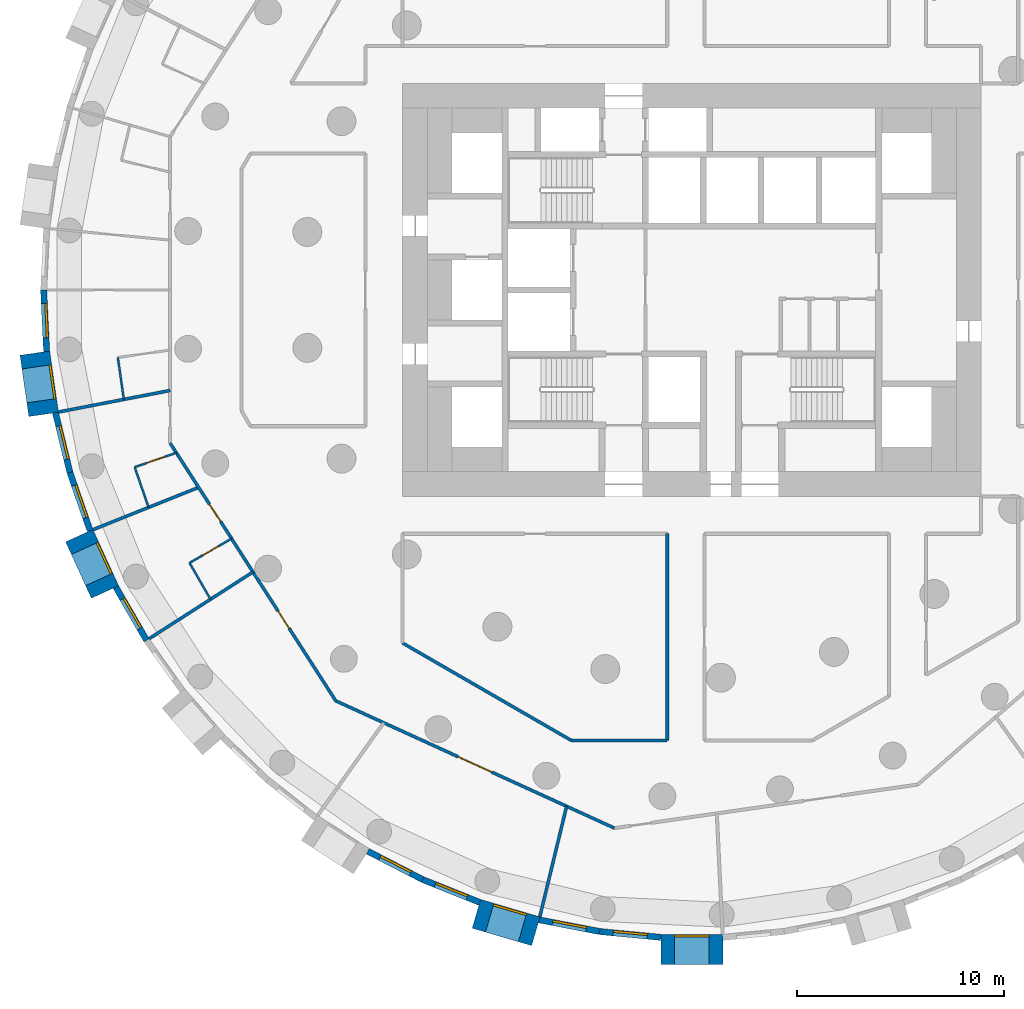
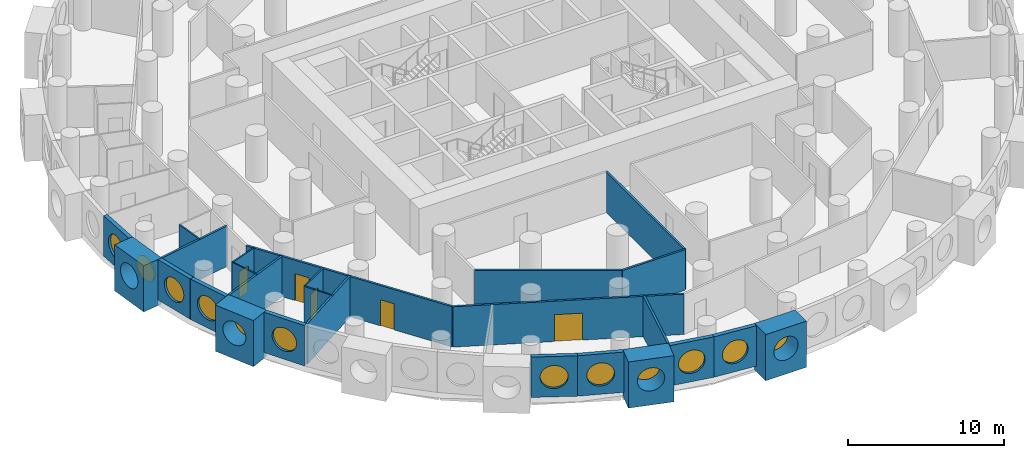
# One storey, part 3 of 12: 27 walls, 12 windows, 5 doors, 17 openings.
"""IFC4 building model written with IfcOpenShell, lengths in metres."""

from ifc_helpers import new_model, si_unit, direction, frame, frame_2d, origin, origin_2d, place, context, subcontext, project, spatial, rectangle, circle, extrude, material, layer, layer_set, type_object, element, fill, save


model = new_model("IFC4")

# Units and contexts
model_context = context("Model", 3, precision=1e-05, world=origin(), true_north=direction((0.0, 1.0)))
body_context = subcontext(model_context, "Body", "Model", "MODEL_VIEW")
ifc_project = project(units=[si_unit("LENGTHUNIT", "METRE"), si_unit("AREAUNIT", "SQUARE_METRE"), si_unit("VOLUMEUNIT", "CUBIC_METRE"), si_unit("PLANEANGLEUNIT", "RADIAN"), si_unit("MASSUNIT", "GRAM", prefix="KILO")], contexts=[model_context])

# Site, building, storey
site_placement = place(None, origin())
site = spatial("IfcSite", under=ifc_project, at=site_placement, CompositionType="ELEMENT")
building_placement = place(site_placement, origin())
building = spatial("IfcBuilding", under=site, at=building_placement, Name="Tracery Tower", CompositionType="ELEMENT")
storey_placement = place(building_placement, frame((0.0, 0.0, 103.800048828125)))
storey = spatial("IfcBuildingStorey", under=building, at=storey_placement, Name="L26", CompositionType="ELEMENT", Elevation=103.800048828125)

# Wall, opening, window
ifc_material_1 = material(Name="Precast concrete C50/60", Category="concrete")
ifc_layer_1 = layer(ifc_material_1, 1.449951171875)
ifc_layer_set_1 = layer_set([ifc_layer_1], Name="Deep-set bay unit 3000 x 3600, slab edge 450")
wall_type_1 = type_object("IfcWallType", Name="Deep-set bay unit 3000 x 3600, slab edge 450", PredefinedType="ELEMENTEDWALL", material=ifc_layer_set_1)
wall_1_placement = place(storey_placement, frame((-31.802490234375, -3.05712890625, -0.449951171875), z_axis=(0.0, 0.0, 1.0), x_axis=(0.142332746704, -0.989818866872, 0.0)))
wall_1 = element("IfcWall", 1, at=wall_1_placement, inside=storey, type_object=wall_type_1, Name="Deep-set bay unit 35 at L26", PredefinedType="ELEMENTEDWALL", context=body_context, shape_type="SweptSolid", body=[
    extrude(rectangle(XDim=3.0, YDim=1.449951171875, at=frame_2d((1.5, 0.0))), origin(), (0.0, 0.0, 1.0), 3.599853515625),
])
opening_1_placement = place(wall_1_placement, frame((1.5, 0.0, 2.0)))
opening_1 = element("IfcOpeningElement", 2, at=opening_1_placement, cuts=wall_1, Name="Opening WN1", PredefinedType="OPENING", context=body_context, shape_type="SweptSolid", body=[
    extrude(circle(Radius=0.9000244140625, at=origin_2d()), frame((0.0, 0.73486328125, 0.0), z_axis=(0.0, -1.0, 0.0), x_axis=(1.0, 0.0, 0.0)), (0.0, 0.0, 1.0), 1.469970703125),
])
ifc_material_2 = material(Name="Aluminium frame with tinted double glazing", Category="aluminium")
window_type = type_object("IfcWindowType", Name="Round window 1800", PartitioningType="SINGLE_PANEL", PredefinedType="WINDOW", material=ifc_material_2)
window_1_placement = place(opening_1_placement, origin())
window_1 = element("IfcWindow", 3, at=window_1_placement, inside=storey, type_object=window_type, Name="Round window 35 at L26", OverallHeight=1.800048828125, OverallWidth=1.800048828125, PartitioningType="SINGLE_PANEL", PredefinedType="WINDOW", context=body_context, shape_type="SweptSolid", body=[
    extrude(circle(Radius=0.9000244140625, at=origin_2d()), frame((0.0, 0.69482421875, 0.0), z_axis=(0.0, -1.0, 0.0), x_axis=(1.0, 0.0, 0.0)), (0.0, 0.0, 1.0), 0.10009765625),
])
fill(opening_1, window_1)

wall_2_placement = place(storey_placement, frame((-29.653076171875, -11.89306640625, -0.449951171875), z_axis=(0.0, 0.0, 1.0), x_axis=(0.415427028395, -0.909626508012, 0.0)))
wall_2 = element("IfcWall", 4, at=wall_2_placement, inside=storey, type_object=wall_type_1, Name="Deep-set bay unit 38 at L26", PredefinedType="ELEMENTEDWALL", context=body_context, shape_type="SweptSolid", body=[
    extrude(rectangle(XDim=3.000244140625, YDim=1.449951171875, at=frame_2d((1.5, 0.0))), origin(), (0.0, 0.0, 1.0), 3.599853515625),
])
opening_2_placement = place(wall_2_placement, frame((1.5, 0.0, 2.0)))
opening_2 = element("IfcOpeningElement", 5, at=opening_2_placement, cuts=wall_2, Name="Opening WN1", PredefinedType="OPENING", context=body_context, shape_type="SweptSolid", body=[
    extrude(circle(Radius=0.9000244140625, at=origin_2d()), frame((0.0, 0.73486328125, 0.0), z_axis=(0.0, -1.0, 0.0), x_axis=(1.0, 0.0, 0.0)), (0.0, 0.0, 1.0), 1.469970703125),
])
window_2_placement = place(opening_2_placement, origin())
window_2 = element("IfcWindow", 6, at=window_2_placement, inside=storey, type_object=window_type, Name="Round window 38 at L26", OverallHeight=1.800048828125, OverallWidth=1.800048828125, PartitioningType="SINGLE_PANEL", PredefinedType="WINDOW", context=body_context, shape_type="SweptSolid", body=[
    extrude(circle(Radius=0.9000244140625, at=origin_2d()), frame((0.0, 0.69482421875, 0.0), z_axis=(0.0, -1.0, 0.0), x_axis=(1.0, 0.0, 0.0)), (0.0, 0.0, 1.0), 0.10009765625),
])
fill(opening_2, window_2)

wall_3_placement = place(storey_placement, frame((-10.430419921875, -30.198486328125, -0.449951171875), z_axis=(0.0, 0.0, 1.0), x_axis=(0.959489813418, -0.281743319258, 0.0)))
wall_3 = element("IfcWall", 7, at=wall_3_placement, inside=storey, type_object=wall_type_1, Name="Deep-set bay unit 47 at L26", PredefinedType="ELEMENTEDWALL", context=body_context, shape_type="SweptSolid", body=[
    extrude(rectangle(XDim=3.0, YDim=1.449951171875, at=frame_2d((1.5, 0.0))), origin(), (0.0, 0.0, 1.0), 3.599853515625),
])
opening_3_placement = place(wall_3_placement, frame((1.5, 0.0, 2.0)))
opening_3 = element("IfcOpeningElement", 8, at=opening_3_placement, cuts=wall_3, Name="Opening WN1", PredefinedType="OPENING", context=body_context, shape_type="SweptSolid", body=[
    extrude(circle(Radius=0.9000244140625, at=origin_2d()), frame((0.0, 0.73486328125, 0.0), z_axis=(0.0, -1.0, 0.0), x_axis=(1.0, 0.0, 0.0)), (0.0, 0.0, 1.0), 1.469970703125),
])
window_3_placement = place(opening_3_placement, origin())
window_3 = element("IfcWindow", 9, at=window_3_placement, inside=storey, type_object=window_type, Name="Round window 47 at L26", OverallHeight=1.800048828125, OverallWidth=1.800048828125, PartitioningType="SINGLE_PANEL", PredefinedType="WINDOW", context=body_context, shape_type="SweptSolid", body=[
    extrude(circle(Radius=0.9000244140625, at=origin_2d()), frame((0.0, 0.69482421875, 0.0), z_axis=(0.0, -1.0, 0.0), x_axis=(1.0, 0.0, 0.0)), (0.0, 0.0, 1.0), 0.10009765625),
])
fill(opening_3, window_3)

wall_4_placement = place(storey_placement, frame((-1.5, -31.913818359375, -0.449951171875), z_axis=(0.0, 0.0, 1.0), x_axis=(1.0, 0.0, 0.0)))
wall_4 = element("IfcWall", 10, at=wall_4_placement, inside=storey, type_object=wall_type_1, Name="Deep-set bay unit 50 at L26", PredefinedType="ELEMENTEDWALL", context=body_context, shape_type="SweptSolid", body=[
    extrude(rectangle(XDim=3.0, YDim=1.449951171875, at=frame_2d((1.5, 0.0))), origin(), (0.0, 0.0, 1.0), 3.599853515625),
])
opening_4_placement = place(wall_4_placement, frame((1.5, 0.0, 2.0)))
opening_4 = element("IfcOpeningElement", 11, at=opening_4_placement, cuts=wall_4, Name="Opening WN1", PredefinedType="OPENING", context=body_context, shape_type="SweptSolid", body=[
    extrude(circle(Radius=0.9000244140625, at=origin_2d()), frame((0.0, 0.73486328125, 0.0), z_axis=(0.0, -1.0, 0.0), x_axis=(1.0, 0.0, 0.0)), (0.0, 0.0, 1.0), 1.469970703125),
])
window_4_placement = place(opening_4_placement, origin())
window_4 = element("IfcWindow", 12, at=window_4_placement, inside=storey, type_object=window_type, Name="Round window 50 at L26", OverallHeight=1.800048828125, OverallWidth=1.800048828125, PartitioningType="SINGLE_PANEL", PredefinedType="WINDOW", context=body_context, shape_type="SweptSolid", body=[
    extrude(circle(Radius=0.9000244140625, at=origin_2d()), frame((0.0, 0.69482421875, 0.0), z_axis=(0.0, -1.0, 0.0), x_axis=(1.0, 0.0, 0.0)), (0.0, 0.0, 1.0), 0.10009765625),
])
fill(opening_4, window_4)

ifc_material_3 = material(Name="Precast concrete C50/60", Category="concrete")
ifc_layer_2 = layer(ifc_material_3, 0.300048828125)
ifc_layer_set_2 = layer_set([ifc_layer_2], Name="Facade panel 3000 x 3150")
wall_type_2 = type_object("IfcWallType", Name="Facade panel 3000 x 3150", PredefinedType="SOLIDWALL", material=ifc_layer_set_2)
wall_5_placement = place(storey_placement, frame((-31.37451171875, 0.0, 0.0), z_axis=(0.0, 0.0, 1.0), x_axis=(0.047604077644, -0.998866283239, 0.0)))
wall_5 = element("IfcWall", 13, at=wall_5_placement, inside=storey, type_object=wall_type_2, Name="Facade panel 34 at L26", PredefinedType="SOLIDWALL", context=body_context, shape_type="SweptSolid", body=[
    extrude(rectangle(XDim=2.979736328125, YDim=0.300048828125, at=frame_2d((1.48974609375, 0.0))), origin(), (0.0, 0.0, 1.0), 3.14990234375),
])
opening_5_placement = place(wall_5_placement, frame((1.48974609375, 0.0, 1.5498046875)))
opening_5 = element("IfcOpeningElement", 14, at=opening_5_placement, cuts=wall_5, Name="Opening WN1", PredefinedType="OPENING", context=body_context, shape_type="SweptSolid", body=[
    extrude(circle(Radius=0.9000244140625, at=origin_2d()), frame((0.0, 0.159912109375, 0.0), z_axis=(0.0, -1.0, 0.0), x_axis=(1.0, 0.0, 0.0)), (0.0, 0.0, 1.0), 0.320068359375),
])
window_5_placement = place(opening_5_placement, origin())
window_5 = element("IfcWindow", 15, at=window_5_placement, inside=storey, type_object=window_type, Name="Round window 34 at L26", OverallHeight=1.800048828125, OverallWidth=1.800048828125, PartitioningType="SINGLE_PANEL", PredefinedType="WINDOW", context=body_context, shape_type="SweptSolid", body=[
    extrude(circle(Radius=0.9000244140625, at=origin_2d()), frame((0.0, 0.1201171875, 0.0), z_axis=(0.0, -1.0, 0.0), x_axis=(1.0, 0.0, 0.0)), (0.0, 0.0, 1.0), 0.10009765625),
])
fill(opening_5, window_5)

wall_6_placement = place(storey_placement, frame((-30.805908203125, -5.943603515625, 0.0), z_axis=(0.0, 0.0, 1.0), x_axis=(0.235743081534, -0.971815414319, 0.0)))
wall_6 = element("IfcWall", 16, at=wall_6_placement, inside=storey, type_object=wall_type_2, Name="Facade panel 36 at L26", PredefinedType="SOLIDWALL", context=body_context, shape_type="SweptSolid", body=[
    extrude(rectangle(XDim=2.9794921875, YDim=0.300048828125, at=frame_2d((1.48974609375, 0.0))), origin(), (0.0, 0.0, 1.0), 3.14990234375),
])
opening_6_placement = place(wall_6_placement, frame((1.48974609375, 0.0, 1.5498046875)))
opening_6 = element("IfcOpeningElement", 17, at=opening_6_placement, cuts=wall_6, Name="Opening WN1", PredefinedType="OPENING", context=body_context, shape_type="SweptSolid", body=[
    extrude(circle(Radius=0.9000244140625, at=origin_2d()), frame((0.0, 0.159912109375, 0.0), z_axis=(0.0, -1.0, 0.0), x_axis=(1.0, 0.0, 0.0)), (0.0, 0.0, 1.0), 0.320068359375),
])
window_6_placement = place(opening_6_placement, origin())
window_6 = element("IfcWindow", 18, at=window_6_placement, inside=storey, type_object=window_type, Name="Round window 36 at L26", OverallHeight=1.800048828125, OverallWidth=1.800048828125, PartitioningType="SINGLE_PANEL", PredefinedType="WINDOW", context=body_context, shape_type="SweptSolid", body=[
    extrude(circle(Radius=0.9000244140625, at=origin_2d()), frame((0.0, 0.1201171875, 0.0), z_axis=(0.0, -1.0, 0.0), x_axis=(1.0, 0.0, 0.0)), (0.0, 0.0, 1.0), 0.10009765625),
])
fill(opening_6, window_6)

wall_7_placement = place(storey_placement, frame((-30.103515625, -8.839111328125, 0.0), z_axis=(0.0, 0.0, 1.0), x_axis=(0.327071167136, -0.944999709856, 0.0)))
wall_7 = element("IfcWall", 19, at=wall_7_placement, inside=storey, type_object=wall_type_2, Name="Facade panel 37 at L26", PredefinedType="SOLIDWALL", context=body_context, shape_type="SweptSolid", body=[
    extrude(rectangle(XDim=2.979736328125, YDim=0.300048828125, at=frame_2d((1.48974609375, 0.0))), origin(), (0.0, 0.0, 1.0), 3.14990234375),
])
opening_7_placement = place(wall_7_placement, frame((1.48974609375, 0.0, 1.5498046875)))
opening_7 = element("IfcOpeningElement", 20, at=opening_7_placement, cuts=wall_7, Name="Opening WN1", PredefinedType="OPENING", context=body_context, shape_type="SweptSolid", body=[
    extrude(circle(Radius=0.9000244140625, at=origin_2d()), frame((0.0, 0.159912109375, 0.0), z_axis=(0.0, -1.0, 0.0), x_axis=(1.0, 0.0, 0.0)), (0.0, 0.0, 1.0), 0.320068359375),
])
window_7_placement = place(opening_7_placement, origin())
window_7 = element("IfcWindow", 21, at=window_7_placement, inside=storey, type_object=window_type, Name="Round window 37 at L26", OverallHeight=1.800048828125, OverallWidth=1.800048828125, PartitioningType="SINGLE_PANEL", PredefinedType="WINDOW", context=body_context, shape_type="SweptSolid", body=[
    extrude(circle(Radius=0.9000244140625, at=origin_2d()), frame((0.0, 0.1201171875, 0.0), z_axis=(0.0, -1.0, 0.0), x_axis=(1.0, 0.0, 0.0)), (0.0, 0.0, 1.0), 0.10009765625),
])
fill(opening_7, window_7)

wall_8_placement = place(storey_placement, frame((-27.8837890625, -14.3818359375, 0.0), z_axis=(0.0, 0.0, 1.0), x_axis=(0.500025049464, -0.866010940986, 0.0)))
wall_8 = element("IfcWall", 22, at=wall_8_placement, inside=storey, type_object=wall_type_2, Name="Facade panel 39 at L26", PredefinedType="SOLIDWALL", context=body_context, shape_type="SweptSolid", body=[
    extrude(rectangle(XDim=2.979736328125, YDim=0.300048828125, at=frame_2d((1.48974609375, 0.0))), origin(), (0.0, 0.0, 1.0), 3.14990234375),
])
opening_8_placement = place(wall_8_placement, frame((1.48974609375, 0.0, 1.5498046875)))
opening_8 = element("IfcOpeningElement", 23, at=opening_8_placement, cuts=wall_8, Name="Opening WN1", PredefinedType="OPENING", context=body_context, shape_type="SweptSolid", body=[
    extrude(circle(Radius=0.9000244140625, at=origin_2d()), frame((0.0, 0.159912109375, 0.0), z_axis=(0.0, -1.0, 0.0), x_axis=(1.0, 0.0, 0.0)), (0.0, 0.0, 1.0), 0.320068359375),
])
window_8_placement = place(opening_8_placement, origin())
window_8 = element("IfcWindow", 24, at=window_8_placement, inside=storey, type_object=window_type, Name="Round window 39 at L26", OverallHeight=1.800048828125, OverallWidth=1.800048828125, PartitioningType="SINGLE_PANEL", PredefinedType="WINDOW", context=body_context, shape_type="SweptSolid", body=[
    extrude(circle(Radius=0.9000244140625, at=origin_2d()), frame((0.0, 0.1201171875, 0.0), z_axis=(0.0, -1.0, 0.0), x_axis=(1.0, 0.0, 0.0)), (0.0, 0.0, 1.0), 0.10009765625),
])
fill(opening_8, window_8)

wall_9_placement = place(storey_placement, frame((-15.681884765625, -27.173828125, 0.0), z_axis=(0.0, 0.0, 1.0), x_axis=(0.888819853856, -0.458256770153, 0.0)))
wall_9 = element("IfcWall", 25, at=wall_9_placement, inside=storey, type_object=wall_type_2, Name="Facade panel 45 at L26", PredefinedType="SOLIDWALL", context=body_context, shape_type="SweptSolid", body=[
    extrude(rectangle(XDim=2.979736328125, YDim=0.300048828125, at=frame_2d((1.48974609375, 0.0))), origin(), (0.0, 0.0, 1.0), 3.14990234375),
])
opening_9_placement = place(wall_9_placement, frame((1.48974609375, 0.0, 1.5498046875)))
opening_9 = element("IfcOpeningElement", 26, at=opening_9_placement, cuts=wall_9, Name="Opening WN1", PredefinedType="OPENING", context=body_context, shape_type="SweptSolid", body=[
    extrude(circle(Radius=0.9000244140625, at=origin_2d()), frame((0.0, 0.159912109375, 0.0), z_axis=(0.0, -1.0, 0.0), x_axis=(1.0, 0.0, 0.0)), (0.0, 0.0, 1.0), 0.320068359375),
])
window_9_placement = place(opening_9_placement, origin())
window_9 = element("IfcWindow", 27, at=window_9_placement, inside=storey, type_object=window_type, Name="Round window 45 at L26", OverallHeight=1.800048828125, OverallWidth=1.800048828125, PartitioningType="SINGLE_PANEL", PredefinedType="WINDOW", context=body_context, shape_type="SweptSolid", body=[
    extrude(circle(Radius=0.9000244140625, at=origin_2d()), frame((0.0, 0.1201171875, 0.0), z_axis=(0.0, -1.0, 0.0), x_axis=(1.0, 0.0, 0.0)), (0.0, 0.0, 1.0), 0.10009765625),
])
fill(opening_9, window_9)

wall_10_placement = place(storey_placement, frame((-13.033447265625, -28.539306640625, 0.0), z_axis=(0.0, 0.0, 1.0), x_axis=(0.928403213937, -0.371574316054, 0.0)))
wall_10 = element("IfcWall", 28, at=wall_10_placement, inside=storey, type_object=wall_type_2, Name="Facade panel 46 at L26", PredefinedType="SOLIDWALL", context=body_context, shape_type="SweptSolid", body=[
    extrude(rectangle(XDim=2.979736328125, YDim=0.300048828125, at=frame_2d((1.48974609375, 0.0))), origin(), (0.0, 0.0, 1.0), 3.14990234375),
])
opening_10_placement = place(wall_10_placement, frame((1.48974609375, 0.0, 1.5498046875)))
opening_10 = element("IfcOpeningElement", 29, at=opening_10_placement, cuts=wall_10, Name="Opening WN1", PredefinedType="OPENING", context=body_context, shape_type="SweptSolid", body=[
    extrude(circle(Radius=0.9000244140625, at=origin_2d()), frame((0.0, 0.159912109375, 0.0), z_axis=(0.0, -1.0, 0.0), x_axis=(1.0, 0.0, 0.0)), (0.0, 0.0, 1.0), 0.320068359375),
])
window_10_placement = place(opening_10_placement, origin())
window_10 = element("IfcWindow", 30, at=window_10_placement, inside=storey, type_object=window_type, Name="Round window 46 at L26", OverallHeight=1.800048828125, OverallWidth=1.800048828125, PartitioningType="SINGLE_PANEL", PredefinedType="WINDOW", context=body_context, shape_type="SweptSolid", body=[
    extrude(circle(Radius=0.9000244140625, at=origin_2d()), frame((0.0, 0.1201171875, 0.0), z_axis=(0.0, -1.0, 0.0), x_axis=(1.0, 0.0, 0.0)), (0.0, 0.0, 1.0), 0.10009765625),
])
fill(opening_10, window_10)

wall_11_placement = place(storey_placement, frame((-7.390869140625, -30.4912109375, 0.0), z_axis=(0.0, 0.0, 1.0), x_axis=(0.981924535406, -0.189272836848, 0.0)))
wall_11 = element("IfcWall", 31, at=wall_11_placement, inside=storey, type_object=wall_type_2, Name="Facade panel 48 at L26", PredefinedType="SOLIDWALL", context=body_context, shape_type="SweptSolid", body=[
    extrude(rectangle(XDim=2.979736328125, YDim=0.300048828125, at=frame_2d((1.48974609375, 0.0))), origin(), (0.0, 0.0, 1.0), 3.14990234375),
])
opening_11_placement = place(wall_11_placement, frame((1.48974609375, 0.0, 1.5498046875)))
opening_11 = element("IfcOpeningElement", 32, at=opening_11_placement, cuts=wall_11, Name="Opening WN1", PredefinedType="OPENING", context=body_context, shape_type="SweptSolid", body=[
    extrude(circle(Radius=0.9000244140625, at=origin_2d()), frame((0.0, 0.159912109375, 0.0), z_axis=(0.0, -1.0, 0.0), x_axis=(1.0, 0.0, 0.0)), (0.0, 0.0, 1.0), 0.320068359375),
])
window_11_placement = place(opening_11_placement, origin())
window_11 = element("IfcWindow", 33, at=window_11_placement, inside=storey, type_object=window_type, Name="Round window 48 at L26", OverallHeight=1.800048828125, OverallWidth=1.800048828125, PartitioningType="SINGLE_PANEL", PredefinedType="WINDOW", context=body_context, shape_type="SweptSolid", body=[
    extrude(circle(Radius=0.9000244140625, at=origin_2d()), frame((0.0, 0.1201171875, 0.0), z_axis=(0.0, -1.0, 0.0), x_axis=(1.0, 0.0, 0.0)), (0.0, 0.0, 1.0), 0.10009765625),
])
fill(opening_11, window_11)

wall_12_placement = place(storey_placement, frame((-4.465087890625, -31.05517578125, 0.0), z_axis=(0.0, 0.0, 1.0), x_axis=(0.995473351551, -0.095041077185, 0.0)))
wall_12 = element("IfcWall", 34, at=wall_12_placement, inside=storey, type_object=wall_type_2, Name="Facade panel 49 at L26", PredefinedType="SOLIDWALL", context=body_context, shape_type="SweptSolid", body=[
    extrude(rectangle(XDim=2.979736328125, YDim=0.300048828125, at=frame_2d((1.48974609375, 0.0))), origin(), (0.0, 0.0, 1.0), 3.14990234375),
])
opening_12_placement = place(wall_12_placement, frame((1.48974609375, 0.0, 1.5498046875)))
opening_12 = element("IfcOpeningElement", 35, at=opening_12_placement, cuts=wall_12, Name="Opening WN1", PredefinedType="OPENING", context=body_context, shape_type="SweptSolid", body=[
    extrude(circle(Radius=0.9000244140625, at=origin_2d()), frame((0.0, 0.159912109375, 0.0), z_axis=(0.0, -1.0, 0.0), x_axis=(1.0, 0.0, 0.0)), (0.0, 0.0, 1.0), 0.320068359375),
])
window_12_placement = place(opening_12_placement, origin())
window_12 = element("IfcWindow", 36, at=window_12_placement, inside=storey, type_object=window_type, Name="Round window 49 at L26", OverallHeight=1.800048828125, OverallWidth=1.800048828125, PartitioningType="SINGLE_PANEL", PredefinedType="WINDOW", context=body_context, shape_type="SweptSolid", body=[
    extrude(circle(Radius=0.9000244140625, at=origin_2d()), frame((0.0, 0.1201171875, 0.0), z_axis=(0.0, -1.0, 0.0), x_axis=(1.0, 0.0, 0.0)), (0.0, 0.0, 1.0), 0.10009765625),
])
fill(opening_12, window_12)

# Wall
ifc_material_4 = material(Name="Plasterboard on steel studs", Category="steel")
ifc_layer_3 = layer(ifc_material_4, 0.10009765625)
ifc_layer_set_3 = layer_set([ifc_layer_3], Name="Partition 100 wet wall")
wall_type_3 = type_object("IfcWallType", Name="Partition 100 wet wall", PredefinedType="PARTITIONING", material=ifc_layer_set_3)
wall_13_placement = place(storey_placement, frame((-27.784912109375, -3.27294921875, 0.0), z_axis=(0.0, 0.0, 1.0), x_axis=(0.142640130423, -0.989774617372, 0.0)))
element("IfcWall", 37, at=wall_13_placement, inside=storey, type_object=wall_type_3, Name="Wet wall RA8-104", PredefinedType="PARTITIONING", context=body_context, shape_type="SweptSolid", body=[
    extrude(rectangle(XDim=2.047119140625, YDim=0.10009765625, at=frame_2d((1.0234375, 0.0))), origin(), (0.0, 0.0, 1.0), 3.14990234375),
])

# Wall, opening, door
wall_14_placement = place(storey_placement, frame((-26.968994140625, -8.577880859375, 0.0), z_axis=(0.0, 0.0, 1.0), x_axis=(0.945146525342, 0.326646667877, 0.0)))
wall_14 = element("IfcWall", 38, at=wall_14_placement, inside=storey, type_object=wall_type_3, Name="Wet wall RA8-106", PredefinedType="PARTITIONING", context=body_context, shape_type="SweptSolid", body=[
    extrude(rectangle(XDim=2.133056640625, YDim=0.10009765625, at=frame_2d((1.06640625, 0.0))), origin(), (0.0, 0.0, 1.0), 3.14990234375),
])
opening_13_placement = place(wall_14_placement, frame((0.6162109375, 0.0, 0.0)))
opening_13 = element("IfcOpeningElement", 39, at=opening_13_placement, cuts=wall_14, Name="Opening RA8-40", PredefinedType="OPENING", context=body_context, shape_type="SweptSolid", body=[
    extrude(rectangle(XDim=0.89990234375, YDim=2.0400390625, at=frame_2d((0.449951171875, 1.02001953125))), frame((0.0, 0.050048828125, 0.0), z_axis=(0.0, -1.0, 0.0), x_axis=(1.0, 0.0, 0.0)), (0.0, 0.0, 1.0), 0.10009765625),
])
ifc_material_5 = material(Name="Timber door leaf", Category="wood")
door_type_1 = type_object("IfcDoorType", Name="Door en-suite 900", OperationType="NOTDEFINED", PredefinedType="DOOR", material=ifc_material_5)
door_1_placement = place(opening_13_placement, origin())
door_1 = element("IfcDoor", 40, at=door_1_placement, inside=storey, type_object=door_type_1, Name="En-suite door RA8-40", OperationType="SINGLE_SWING_RIGHT", OverallHeight=2.0400390625, OverallWidth=0.89990234375, PredefinedType="DOOR", context=body_context, shape_type="SweptSolid", body=[
    extrude(rectangle(XDim=0.89990234375, YDim=2.0400390625, at=frame_2d((0.449951171875, 1.02001953125))), frame((0.0, 0.02490234375, 0.0), z_axis=(0.0, -1.0, 0.0), x_axis=(1.0, 0.0, 0.0)), (0.0, 0.0, 1.0), 0.050048828125),
])
fill(opening_13, door_1)

# Wall
wall_15_placement = place(storey_placement, frame((-26.968994140625, -8.577880859375, 0.0), z_axis=(0.0, 0.0, 1.0), x_axis=(0.326825955114, -0.945084543871, 0.0)))
element("IfcWall", 41, at=wall_15_placement, inside=storey, type_object=wall_type_3, Name="Wet wall RA8-107", PredefinedType="PARTITIONING", context=body_context, shape_type="SweptSolid", body=[
    extrude(rectangle(XDim=2.0625, YDim=0.10009765625, at=frame_2d((1.03125, 0.0))), origin(), (0.0, 0.0, 1.0), 3.14990234375),
])

# Wall, opening, door
wall_16_placement = place(storey_placement, frame((-24.31396484375, -13.212890625, 0.0), z_axis=(0.0, 0.0, 1.0), x_axis=(0.866007195875, 0.500031535699, 0.0)))
wall_16 = element("IfcWall", 42, at=wall_16_placement, inside=storey, type_object=wall_type_3, Name="Wet wall RA8-109", PredefinedType="PARTITIONING", context=body_context, shape_type="SweptSolid", body=[
    extrude(rectangle(XDim=2.347412109375, YDim=0.10009765625, at=frame_2d((1.173828125, 0.0))), origin(), (0.0, 0.0, 1.0), 3.14990234375),
])
opening_14_placement = place(wall_16_placement, frame((0.7236328125, 0.0, 0.0)))
opening_14 = element("IfcOpeningElement", 43, at=opening_14_placement, cuts=wall_16, Name="Opening RA8-42", PredefinedType="OPENING", context=body_context, shape_type="SweptSolid", body=[
    extrude(rectangle(XDim=0.89990234375, YDim=2.0400390625, at=frame_2d((0.449951171875, 1.02001953125))), frame((0.0, 0.050048828125, 0.0), z_axis=(0.0, -1.0, 0.0), x_axis=(1.0, 0.0, 0.0)), (0.0, 0.0, 1.0), 0.10009765625),
])
door_2_placement = place(opening_14_placement, origin())
door_2 = element("IfcDoor", 44, at=door_2_placement, inside=storey, type_object=door_type_1, Name="En-suite door RA8-42", OperationType="SINGLE_SWING_RIGHT", OverallHeight=2.0400390625, OverallWidth=0.89990234375, PredefinedType="DOOR", context=body_context, shape_type="SweptSolid", body=[
    extrude(rectangle(XDim=0.89990234375, YDim=2.0400390625, at=frame_2d((0.449951171875, 1.02001953125))), frame((0.0, 0.02490234375, 0.0), z_axis=(0.0, -1.0, 0.0), x_axis=(1.0, 0.0, 0.0)), (0.0, 0.0, 1.0), 0.050048828125),
])
fill(opening_14, door_2)

# Walls
wall_17_placement = place(storey_placement, frame((-24.31396484375, -13.212890625, 0.0), z_axis=(0.0, 0.0, 1.0), x_axis=(0.499899251727, -0.866083563014, 0.0)))
element("IfcWall", 45, at=wall_17_placement, inside=storey, type_object=wall_type_3, Name="Wet wall RA8-110", PredefinedType="PARTITIONING", context=body_context, shape_type="SweptSolid", body=[
    extrude(rectangle(XDim=2.0322265625, YDim=0.10009765625, at=frame_2d((1.01611328125, 0.0))), origin(), (0.0, 0.0, 1.0), 3.14990234375),
])
ifc_material_6 = material(Name="Plasterboard on steel studs", Category="steel")
ifc_layer_4 = layer(ifc_material_6, 0.14990234375)
ifc_layer_set_4 = layer_set([ifc_layer_4], Name="Partition 150 acoustic unit wall")
wall_type_4 = type_object("IfcWallType", Name="Partition 150 acoustic unit wall", PredefinedType="PARTITIONING", material=ifc_layer_set_4)
wall_18_placement = place(storey_placement, frame((-30.659912109375, -5.908935546875, 0.0), z_axis=(0.0, 0.0, 1.0), x_axis=(0.981949161207, 0.189145036425, 0.0)))
element("IfcWall", 46, at=wall_18_placement, inside=storey, type_object=wall_type_4, Name="Unit wall RA8-105", PredefinedType="PARTITIONING", context=body_context, shape_type="SweptSolid", body=[
    extrude(rectangle(XDim=5.50634765625, YDim=0.14990234375, at=frame_2d((2.753173828125, 0.0))), origin(), (0.0, 0.0, 1.0), 3.14990234375),
])
wall_19_placement = place(storey_placement, frame((-28.988037109375, -11.60498046875, 0.0), z_axis=(0.0, 0.0, 1.0), x_axis=(0.928372711727, 0.371650518795, 0.0)))
element("IfcWall", 47, at=wall_19_placement, inside=storey, type_object=wall_type_4, Name="Unit wall RA8-108", PredefinedType="PARTITIONING", context=body_context, shape_type="SweptSolid", body=[
    extrude(rectangle(XDim=5.507568359375, YDim=0.14990234375, at=frame_2d((2.75390625, 0.0))), origin(), (0.0, 0.0, 1.0), 3.14990234375),
])
wall_20_placement = place(storey_placement, frame((-26.26806640625, -16.881103515625, 0.0), z_axis=(0.0, 0.0, 1.0), x_axis=(0.841333855553, 0.540515812443, 0.0)))
element("IfcWall", 48, at=wall_20_placement, inside=storey, type_object=wall_type_4, Name="Unit wall RA8-111", PredefinedType="PARTITIONING", context=body_context, shape_type="SweptSolid", body=[
    extrude(rectangle(XDim=5.9716796875, YDim=0.14990234375, at=frame_2d((2.98583984375, 0.0))), origin(), (0.0, 0.0, 1.0), 3.14990234375),
])
wall_21_placement = place(storey_placement, frame((-7.361083984375, -30.343994140625, 0.0), z_axis=(0.0, 0.0, 1.0), x_axis=(0.235707871895, 0.971823954802, 0.0)))
element("IfcWall", 49, at=wall_21_placement, inside=storey, type_object=wall_type_4, Name="Unit wall RA8-113", PredefinedType="PARTITIONING", context=body_context, shape_type="SweptSolid", body=[
    extrude(rectangle(XDim=5.50732421875, YDim=0.14990234375, at=frame_2d((2.753662109375, 0.0))), origin(), (0.0, 0.0, 1.0), 3.14990234375),
])

# Wall, opening, door
ifc_material_7 = material(Name="Plasterboard on steel studs", Category="steel")
ifc_layer_5 = layer(ifc_material_7, 0.14990234375)
ifc_layer_set_5 = layer_set([ifc_layer_5], Name="Partition 150 corridor wall")
wall_type_5 = type_object("IfcWallType", Name="Partition 150 corridor wall", PredefinedType="PARTITIONING", material=ifc_layer_set_5)
wall_22_placement = place(storey_placement, frame((-25.2529296875, -7.4150390625, 0.0), z_axis=(0.0, 0.0, 1.0), x_axis=(0.541385585623, -0.840774433293, 0.0)))
wall_22 = element("IfcWall", 50, at=wall_22_placement, inside=storey, type_object=wall_type_5, Name="Corridor wall RA8-046", PredefinedType="PARTITIONING", context=body_context, shape_type="SweptSolid", body=[
    extrude(rectangle(XDim=5.500244140625, YDim=0.14990234375, at=frame_2d((2.75, 0.0))), origin(), (0.0, 0.0, 1.0), 3.14990234375),
])
opening_15_placement = place(wall_22_placement, frame((3.522216796875, 0.0, 0.0)))
opening_15 = element("IfcOpeningElement", 51, at=opening_15_placement, cuts=wall_22, Name="Opening RA8-43", PredefinedType="OPENING", context=body_context, shape_type="SweptSolid", body=[
    extrude(rectangle(XDim=1.0, YDim=2.10009765625, at=frame_2d((0.5, 1.050048828125))), frame((0.0, 0.074951171875, 0.0), z_axis=(0.0, -1.0, 0.0), x_axis=(1.0, 0.0, 0.0)), (0.0, 0.0, 1.0), 0.14990234375),
])
ifc_material_8 = material(Name="Timber door leaf", Category="wood")
door_type_2 = type_object("IfcDoorType", Name="Door unit entrance 1000", OperationType="NOTDEFINED", PredefinedType="DOOR", material=ifc_material_8)
door_3_placement = place(opening_15_placement, origin())
door_3 = element("IfcDoor", 52, at=door_3_placement, inside=storey, type_object=door_type_2, Name="Unit entrance door RA8-43", OperationType="SINGLE_SWING_LEFT", OverallHeight=2.10009765625, OverallWidth=1.0, PredefinedType="DOOR", context=body_context, shape_type="SweptSolid", body=[
    extrude(rectangle(XDim=1.0, YDim=2.10009765625, at=frame_2d((0.5, 1.050048828125))), frame((0.0, 0.02490234375, 0.0), z_axis=(0.0, -1.0, 0.0), x_axis=(1.0, 0.0, 0.0)), (0.0, 0.0, 1.0), 0.050048828125),
])
fill(opening_15, door_3)

wall_23_placement = place(storey_placement, frame((-22.282958984375, -12.035888671875, 0.0), z_axis=(0.0, 0.0, 1.0), x_axis=(0.540591053907, -0.841285511842, 0.0)))
wall_23 = element("IfcWall", 53, at=wall_23_placement, inside=storey, type_object=wall_type_5, Name="Corridor wall RA8-047", PredefinedType="PARTITIONING", context=body_context, shape_type="SweptSolid", body=[
    extrude(rectangle(XDim=9.336181640625, YDim=0.14990234375, at=frame_2d((4.66796875, 0.0))), origin(), (0.0, 0.0, 1.0), 3.14990234375),
])
opening_16_placement = place(wall_23_placement, frame((4.167236328125, 0.0, 0.0)))
opening_16 = element("IfcOpeningElement", 54, at=opening_16_placement, cuts=wall_23, Name="Opening RA8-44", PredefinedType="OPENING", context=body_context, shape_type="SweptSolid", body=[
    extrude(rectangle(XDim=1.0, YDim=2.0400390625, at=frame_2d((0.5, 1.02001953125))), frame((0.0, 0.074951171875, 0.0), z_axis=(0.0, -1.0, 0.0), x_axis=(1.0, 0.0, 0.0)), (0.0, 0.0, 1.0), 0.14990234375),
])
ifc_material_9 = material(Name="Timber door leaf", Category="wood")
door_type_3 = type_object("IfcDoorType", Name="Door communal room 1000", OperationType="NOTDEFINED", PredefinedType="DOOR", material=ifc_material_9)
door_4_placement = place(opening_16_placement, origin())
door_4 = element("IfcDoor", 55, at=door_4_placement, inside=storey, type_object=door_type_3, Name="Communal room door RA8-44", OperationType="SINGLE_SWING_LEFT", OverallHeight=2.0400390625, OverallWidth=1.0, PredefinedType="DOOR", context=body_context, shape_type="SweptSolid", body=[
    extrude(rectangle(XDim=1.0, YDim=2.0400390625, at=frame_2d((0.5, 1.02001953125))), frame((0.0, 0.02490234375, 0.0), z_axis=(0.0, -1.0, 0.0), x_axis=(1.0, 0.0, 0.0)), (0.0, 0.0, 1.0), 0.050048828125),
])
fill(opening_16, door_4)

# Walls
wall_24_placement = place(storey_placement, frame((-14.0, -17.092041015625, 0.0), z_axis=(0.0, 0.0, 1.0), x_axis=(0.86602719091, -0.499996904595, 0.0)))
element("IfcWall", 56, at=wall_24_placement, inside=storey, type_object=wall_type_5, Name="Corridor wall RA8-048", PredefinedType="PARTITIONING", context=body_context, shape_type="SweptSolid", body=[
    extrude(rectangle(XDim=9.419921875, YDim=0.14990234375, at=frame_2d((4.7099609375, 0.0))), origin(), (0.0, 0.0, 1.0), 3.14990234375),
])
wall_25_placement = place(storey_placement, frame((-5.842041015625, -21.802001953125, 0.0), z_axis=(0.0, 0.0, 1.0), x_axis=(1.0, 0.0, 0.0)))
element("IfcWall", 57, at=wall_25_placement, inside=storey, type_object=wall_type_5, Name="Corridor wall RA8-049", PredefinedType="PARTITIONING", context=body_context, shape_type="SweptSolid", body=[
    extrude(rectangle(XDim=4.650146484375, YDim=0.14990234375, at=frame_2d((2.3251953125, 0.0))), origin(), (0.0, 0.0, 1.0), 3.14990234375),
])
wall_26_placement = place(storey_placement, frame((-1.19189453125, -21.802001953125, 0.0), z_axis=(0.0, 0.0, 1.0), x_axis=(0.0, 1.0, 0.0)))
element("IfcWall", 58, at=wall_26_placement, inside=storey, type_object=wall_type_5, Name="Corridor wall RA8-050", PredefinedType="PARTITIONING", context=body_context, shape_type="SweptSolid", body=[
    extrude(rectangle(XDim=10.001953125, YDim=0.14990234375, at=frame_2d((5.0009765625, 0.0))), origin(), (0.0, 0.0, 1.0), 3.14990234375),
])

# Wall, opening, door
wall_27_placement = place(storey_placement, frame((-17.235107421875, -19.889892578125, 0.0), z_axis=(0.0, 0.0, 1.0), x_axis=(0.909624174921, -0.415432136936, 0.0)))
wall_27 = element("IfcWall", 59, at=wall_27_placement, inside=storey, type_object=wall_type_5, Name="Corridor wall RA8-057", PredefinedType="PARTITIONING", context=body_context, shape_type="SweptSolid", body=[
    extrude(rectangle(XDim=14.82958984375, YDim=0.14990234375, at=frame_2d((7.414794921875, 0.0))), origin(), (0.0, 0.0, 1.0), 3.14990234375),
])
opening_17_placement = place(wall_27_placement, frame((6.515380859375, 0.0, 0.0)))
opening_17 = element("IfcOpeningElement", 60, at=opening_17_placement, cuts=wall_27, Name="Opening RA8-45", PredefinedType="OPENING", context=body_context, shape_type="SweptSolid", body=[
    extrude(rectangle(XDim=1.800048828125, YDim=2.10009765625, at=frame_2d((0.89990234375, 1.050048828125))), frame((0.0, 0.074951171875, 0.0), z_axis=(0.0, -1.0, 0.0), x_axis=(1.0, 0.0, 0.0)), (0.0, 0.0, 1.0), 0.14990234375),
])
ifc_material_10 = material(Name="Timber door leaf", Category="wood")
door_type_4 = type_object("IfcDoorType", Name="Door double lounge 1800", OperationType="NOTDEFINED", PredefinedType="DOOR", material=ifc_material_10)
door_5_placement = place(opening_17_placement, origin())
door_5 = element("IfcDoor", 61, at=door_5_placement, inside=storey, type_object=door_type_4, Name="Double lounge door RA8-45", OperationType="DOUBLE_DOOR_SINGLE_SWING", OverallHeight=2.10009765625, OverallWidth=1.800048828125, PredefinedType="DOOR", context=body_context, shape_type="SweptSolid", body=[
    extrude(rectangle(XDim=1.800048828125, YDim=2.10009765625, at=frame_2d((0.89990234375, 1.050048828125))), frame((0.0, 0.02490234375, 0.0), z_axis=(0.0, -1.0, 0.0), x_axis=(1.0, 0.0, 0.0)), (0.0, 0.0, 1.0), 0.050048828125),
])
fill(opening_17, door_5)

save(model, "model.ifc")
